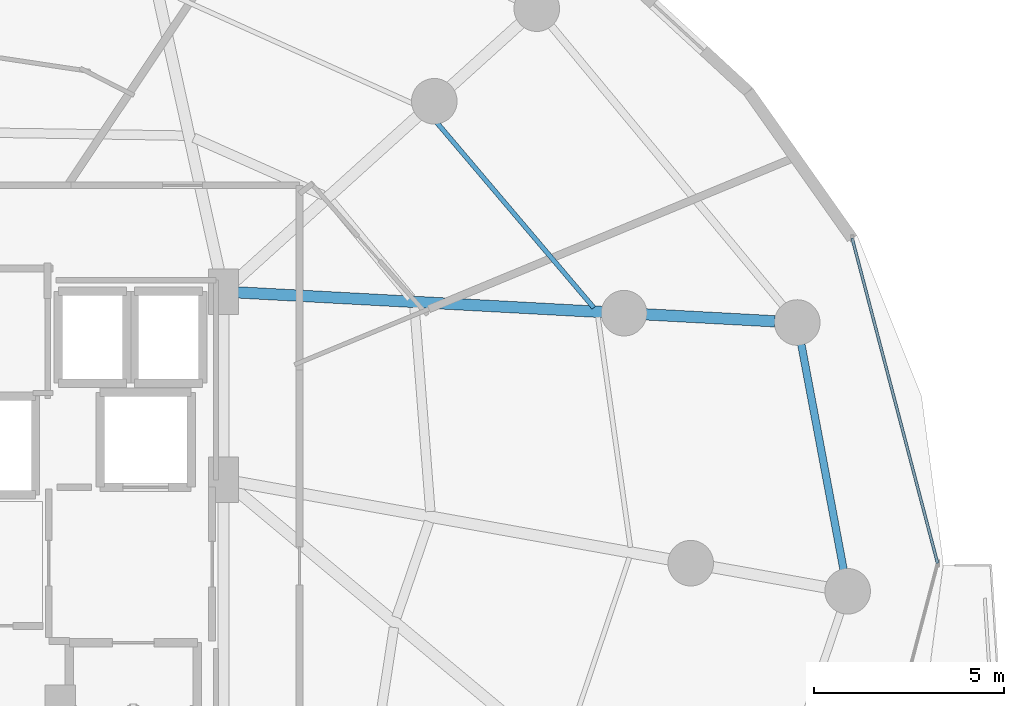
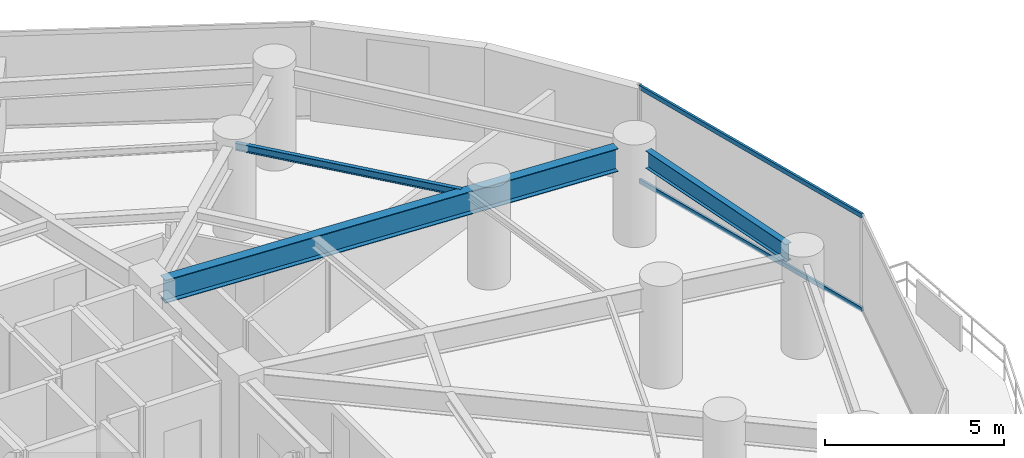
# One storey, part 17 of 35: 3 beams, 2 members, 1 element without a shape of its own.
"""IFC4 building model written with IfcOpenShell, lengths in metres."""

from ifc_helpers import new_model, si_unit, direction, frame, origin, origin_2d, place, context, subcontext, project, spatial, hollow_rectangle, i_section, extrude, material, material_profile, profile_set, type_object, element, aggregate, save


model = new_model("IFC4")

# Units and contexts
model_context = context("Model", 3, precision=1e-05, world=origin(), true_north=direction((0.0, 1.0)))
body_context = subcontext(model_context, "Body", "Model", "MODEL_VIEW")
ifc_project = project(units=[si_unit("LENGTHUNIT", "METRE"), si_unit("AREAUNIT", "SQUARE_METRE"), si_unit("VOLUMEUNIT", "CUBIC_METRE"), si_unit("PLANEANGLEUNIT", "RADIAN"), si_unit("MASSUNIT", "GRAM", prefix="KILO")], contexts=[model_context])

# Site, building, storey
site_placement = place(None, origin())
site = spatial("IfcSite", under=ifc_project, at=site_placement, CompositionType="ELEMENT")
building_placement = place(site_placement, origin())
building = spatial("IfcBuilding", under=site, at=building_placement, Name="Vorneva Point Tower", CompositionType="ELEMENT")
storey_placement = place(building_placement, frame((0.0, 0.0, 48.5)))
storey = spatial("IfcBuildingStorey", under=building, at=storey_placement, Name="L12", CompositionType="ELEMENT", Elevation=48.5)

# Beams
ifc_material_1 = material(Name="Steel S355", Category="steel")
ifc_material_profile_1 = material_profile(ifc_material_1, i_section(OverallWidth=0.300048828125, OverallDepth=0.7880859375, WebThickness=0.014404296875, FlangeThickness=0.02197265625, at=origin_2d()), Name="80Sh1")
ifc_profile_set_1 = profile_set([ifc_material_profile_1], Name="Steel S355")
beam_type_1 = type_object("IfcBeamType", Name="BM-GRD-80Sh1", PredefinedType="USERDEFINED", material=ifc_profile_set_1)
beam_1_placement = place(storey_placement, frame((63.267333984375, 32.368408203125, 2.845947265625), z_axis=(-0.998554321193, 0.053751908115, 0.0), x_axis=(-0.053751908115, -0.998554321193, 0.0)))
element("IfcBeam", 1, at=beam_1_placement, inside=storey, type_object=beam_type_1, Name="L12 Radial Primary Girder 02", ObjectType="GIRDER", PredefinedType="USERDEFINED", context=body_context, shape_type="SweptSolid", body=[
    extrude(i_section(OverallWidth=0.300048828125, OverallDepth=0.7880859375, WebThickness=0.014404296875, FlangeThickness=0.02197265625, at=origin_2d()), origin(), (0.0, 0.0, 1.0), 14.1982421875),
])
ifc_material_profile_2 = material_profile(ifc_material_1, i_section(OverallWidth=0.1240234375, OverallDepth=0.248046875, WebThickness=0.0048828125, FlangeThickness=0.008056640625, at=origin_2d()), Name="25B1")
ifc_profile_set_2 = profile_set([ifc_material_profile_2], Name="Steel S355")
beam_type_2 = type_object("IfcBeamType", Name="BM-JST-25B1", PredefinedType="JOIST", material=ifc_profile_set_2)
beam_2_placement = place(storey_placement, frame((58.49951171875, 32.7255859375, 3.115966796875), z_axis=(-0.646779506013, 0.762677042136, 0.0), x_axis=(-0.762677042136, -0.646779506013, 0.0)))
element("IfcBeam", 2, at=beam_2_placement, inside=storey, type_object=beam_type_2, Name="L12 Secondary Floor Beam 1.02", PredefinedType="JOIST", context=body_context, shape_type="SweptSolid", body=[
    extrude(i_section(OverallWidth=0.1240234375, OverallDepth=0.248046875, WebThickness=0.0048828125, FlangeThickness=0.008056640625, at=origin_2d()), origin(), (0.0, 0.0, 1.0), 6.715576171875),
])
ifc_material_profile_3 = material_profile(ifc_material_1, i_section(OverallWidth=0.198974609375, OverallDepth=0.595947265625, WebThickness=0.010009765625, FlangeThickness=0.014892578125, at=origin_2d()), Name="60B1")
ifc_profile_set_3 = profile_set([ifc_material_profile_3], Name="Steel S355")
beam_type_3 = type_object("IfcBeamType", Name="BM-SPN-60B1", PredefinedType="SPANDREL", material=ifc_profile_set_3)
beam_3_placement = place(storey_placement, frame((65.07421875, 25.8359375, 2.94189453125), z_axis=(-0.184405887522, 0.982850176094, 0.0), x_axis=(-0.982850176094, -0.184405887522, 0.0)))
element("IfcBeam", 3, at=beam_3_placement, inside=storey, type_object=beam_type_3, Name="L12 Perimeter Spandrel Ring Beam 01", PredefinedType="SPANDREL", context=body_context, shape_type="SweptSolid", body=[
    extrude(i_section(OverallWidth=0.198974609375, OverallDepth=0.595947265625, WebThickness=0.010009765625, FlangeThickness=0.014892578125, at=origin_2d()), origin(), (0.0, 0.0, 1.0), 6.029296875),
])

# Curtain wall, members
ifc_material_2 = material(Name="Pale anodised aluminium", Category="aluminium")
curtain_wall_type = type_object("IfcCurtainWallType", Name="CW-HTL-SYS", PredefinedType="NOTDEFINED", material=ifc_material_2)
curtain_wall_placement = place(storey_placement, origin())
curtain_wall = element("IfcCurtainWall", 4, at=curtain_wall_placement, inside=storey, type_object=curtain_wall_type, Name="L12 Unitised Curtain Wall CW-L12-R01", PredefinedType="NOTDEFINED")
ifc_material_profile_4 = material_profile(ifc_material_2, hollow_rectangle(XDim=0.074951171875, YDim=0.14990234375, WallThickness=0.00390625, at=origin_2d()), Name="AL-TRN 150x75x4")
ifc_profile_set_4 = profile_set([ifc_material_profile_4], Name="Pale anodised aluminium")
member_type = type_object("IfcMemberType", Name="CW-TRN-150", PredefinedType="USERDEFINED", material=ifc_profile_set_4)
member_1_placement = place(storey_placement, frame((67.550048828125, 26.0, 0.02001953125), z_axis=(-0.254358772746, 0.967109928978, 0.0), x_axis=(-0.967109928978, -0.254358772746, 0.0)))
member_1 = element("IfcMember", 5, at=member_1_placement, type_object=member_type, Name="CW-L12-R01 Transom 04.1", ObjectType="TRANSOM", PredefinedType="USERDEFINED", context=body_context, shape_type="SweptSolid", body=[
    extrude(hollow_rectangle(XDim=0.074951171875, YDim=0.14990234375, WallThickness=0.00390625, at=origin_2d()), origin(), (0.0, 0.0, 1.0), 8.84375),
])
member_2_placement = place(storey_placement, frame((67.550048828125, 26.0, 3.219970703125), z_axis=(-0.254358772746, 0.967109928978, 0.0), x_axis=(-0.967109928978, -0.254358772746, 0.0)))
member_2 = element("IfcMember", 6, at=member_2_placement, type_object=member_type, Name="CW-L12-R01 Transom 04.2", ObjectType="TRANSOM", PredefinedType="USERDEFINED", context=body_context, shape_type="SweptSolid", body=[
    extrude(hollow_rectangle(XDim=0.074951171875, YDim=0.14990234375, WallThickness=0.00390625, at=origin_2d()), origin(), (0.0, 0.0, 1.0), 8.84375),
])
aggregate(curtain_wall, [member_1, member_2])

save(model, "model.ifc")
